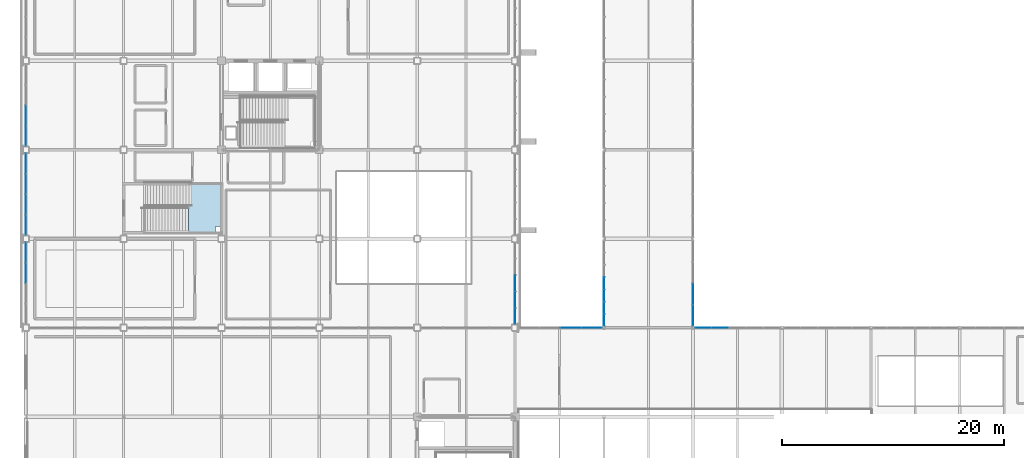
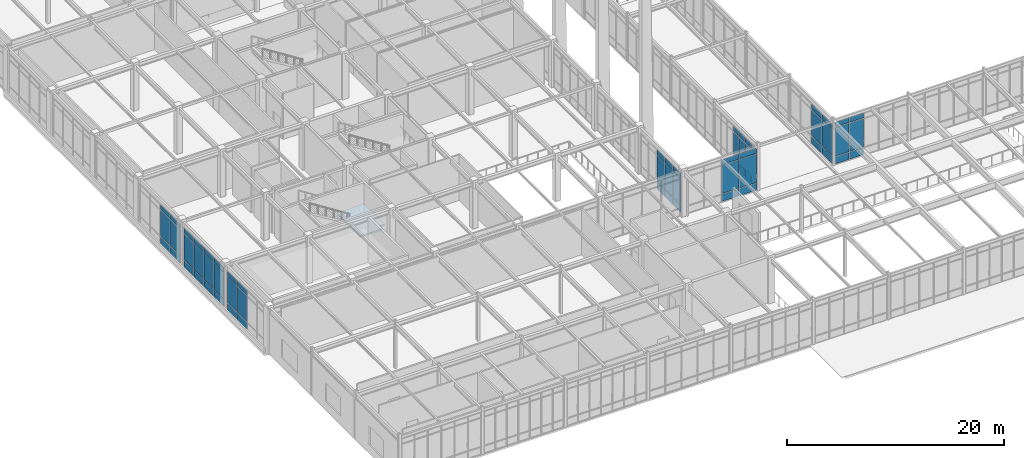
# One storey, part 86 of 184: 63 plates, 1 slab, 9 elements without a shape of their own.
"""IFC4 building model written with IfcOpenShell, lengths in metres."""

from ifc_helpers import new_model, si_unit, direction, frame, origin, origin_2d, place, context, subcontext, project, spatial, polyline, rectangle, outline, extrude, material, layer, layer_set, type_object, element, aggregate, save


model = new_model("IFC4")

# Units and contexts
model_context = context("Model", 3, precision=1e-05, world=origin(), true_north=direction((0.0, 1.0)))
body_context = subcontext(model_context, "Body", "Model", "MODEL_VIEW")
ifc_project = project(units=[si_unit("LENGTHUNIT", "METRE"), si_unit("AREAUNIT", "SQUARE_METRE"), si_unit("VOLUMEUNIT", "CUBIC_METRE"), si_unit("PLANEANGLEUNIT", "RADIAN"), si_unit("MASSUNIT", "GRAM", prefix="KILO")], contexts=[model_context])

# Site, building, storey
site_placement = place(None, origin())
site = spatial("IfcSite", under=ifc_project, at=site_placement, CompositionType="ELEMENT")
building_placement = place(site_placement, origin())
building = spatial("IfcBuilding", under=site, at=building_placement, Name="Zhaolan Boulevard Law Courts", CompositionType="ELEMENT")
storey_placement = place(building_placement, frame((0.0, 0.0, 5.39990234375)))
storey = spatial("IfcBuildingStorey", under=building, at=storey_placement, Name="L01", CompositionType="ELEMENT", Elevation=5.39990234375)

# Curtain wall, plates
ifc_material_1 = material(Name="Thermally broken aluminium and low-E glazing", Category="aluminium")
curtain_wall_type_1 = type_object("IfcCurtainWallType", Name="CURTAIN WALL M24", PredefinedType="USERDEFINED", material=ifc_material_1)
curtain_wall_1_placement = place(storey_placement, origin())
curtain_wall_1 = element("IfcCurtainWall", 1, at=curtain_wall_1_placement, inside=storey, type_object=curtain_wall_type_1, Name="Curtain Wall CW-L01-048", ObjectType="CURTAIN WALL", PredefinedType="USERDEFINED")
ifc_material_2 = material(Name="Acoustic laminated low-E glazing", Category="glass")
ifc_layer_1 = layer(ifc_material_2, 0.031982421875)
ifc_layer_set_1 = layer_set([ifc_layer_1])
plate_type = type_object("IfcPlateType", Name="CWPANEL LOW E32", PredefinedType="CURTAIN_PANEL", material=ifc_layer_set_1)
plate_1_placement = place(storey_placement, frame((50.910400390625, 30.0, 0.06494140625), z_axis=(0.0, 0.0, 1.0), x_axis=(-1.0, 0.0, 0.0)))
plate_1 = element("IfcPlate", 2, at=plate_1_placement, type_object=plate_type, Name="CW-L01-048 panel 1.1", PredefinedType="CURTAIN_PANEL", context=body_context, shape_type="SweptSolid", body=[
    extrude(rectangle(XDim=1.795166015625, YDim=0.031982421875, at=origin_2d()), origin(), (0.0, 0.0, 1.0), 0.802490234375),
])
plate_2_placement = place(storey_placement, frame((50.910400390625, 30.0, 0.9326171875), z_axis=(0.0, 0.0, 1.0), x_axis=(-1.0, 0.0, 0.0)))
plate_2 = element("IfcPlate", 3, at=plate_2_placement, type_object=plate_type, Name="CW-L01-048 panel 1.2", PredefinedType="CURTAIN_PANEL", context=body_context, shape_type="SweptSolid", body=[
    extrude(rectangle(XDim=1.795166015625, YDim=0.031982421875, at=origin_2d()), origin(), (0.0, 0.0, 1.0), 3.2080078125),
])
plate_3_placement = place(storey_placement, frame((50.910400390625, 30.0, 4.20556640625), z_axis=(0.0, 0.0, 1.0), x_axis=(-1.0, 0.0, 0.0)))
plate_3 = element("IfcPlate", 4, at=plate_3_placement, type_object=plate_type, Name="CW-L01-048 panel 1.3", PredefinedType="CURTAIN_PANEL", context=body_context, shape_type="SweptSolid", body=[
    extrude(rectangle(XDim=1.795166015625, YDim=0.031982421875, at=origin_2d()), origin(), (0.0, 0.0, 1.0), 0.552490234375),
])
plate_4_placement = place(storey_placement, frame((49.033935546875, 30.0, 0.06494140625), z_axis=(0.0, 0.0, 1.0), x_axis=(-1.0, 0.0, 0.0)))
plate_4 = element("IfcPlate", 5, at=plate_4_placement, type_object=plate_type, Name="CW-L01-048 panel 2.1", PredefinedType="CURTAIN_PANEL", context=body_context, shape_type="SweptSolid", body=[
    extrude(rectangle(XDim=1.82763671875, YDim=0.031982421875, at=origin_2d()), origin(), (0.0, 0.0, 1.0), 0.802490234375),
])
plate_5_placement = place(storey_placement, frame((49.033935546875, 30.0, 0.9326171875), z_axis=(0.0, 0.0, 1.0), x_axis=(-1.0, 0.0, 0.0)))
plate_5 = element("IfcPlate", 6, at=plate_5_placement, type_object=plate_type, Name="CW-L01-048 panel 2.2", PredefinedType="CURTAIN_PANEL", context=body_context, shape_type="SweptSolid", body=[
    extrude(rectangle(XDim=1.82763671875, YDim=0.031982421875, at=origin_2d()), origin(), (0.0, 0.0, 1.0), 3.2080078125),
])
plate_6_placement = place(storey_placement, frame((49.033935546875, 30.0, 4.20556640625), z_axis=(0.0, 0.0, 1.0), x_axis=(-1.0, 0.0, 0.0)))
plate_6 = element("IfcPlate", 7, at=plate_6_placement, type_object=plate_type, Name="CW-L01-048 panel 2.3", PredefinedType="CURTAIN_PANEL", context=body_context, shape_type="SweptSolid", body=[
    extrude(rectangle(XDim=1.82763671875, YDim=0.031982421875, at=origin_2d()), origin(), (0.0, 0.0, 1.0), 0.552490234375),
])
aggregate(curtain_wall_1, [plate_1, plate_2, plate_3, plate_4, plate_5, plate_6])

ifc_material_3 = material(Name="Thermally broken aluminium and low-E glazing", Category="aluminium")
curtain_wall_type_2 = type_object("IfcCurtainWallType", Name="CURTAIN WALL M1", PredefinedType="USERDEFINED", material=ifc_material_3)
curtain_wall_2_placement = place(storey_placement, origin())
curtain_wall_2 = element("IfcCurtainWall", 8, at=curtain_wall_2_placement, inside=storey, type_object=curtain_wall_type_2, Name="Curtain Wall CW-L01-049", ObjectType="CURTAIN WALL", PredefinedType="USERDEFINED")
plate_7_placement = place(storey_placement, frame((62.45068359375, 30.0, 0.06494140625), z_axis=(0.0, 0.0, 1.0), x_axis=(-1.0, 0.0, 0.0)))
plate_7 = element("IfcPlate", 9, at=plate_7_placement, type_object=plate_type, Name="CW-L01-049 panel 4.1", PredefinedType="CURTAIN_PANEL", context=body_context, shape_type="SweptSolid", body=[
    extrude(rectangle(XDim=1.484130859375, YDim=0.031982421875, at=origin_2d()), origin(), (0.0, 0.0, 1.0), 0.802490234375),
])
plate_8_placement = place(storey_placement, frame((62.45068359375, 30.0, 0.9326171875), z_axis=(0.0, 0.0, 1.0), x_axis=(-1.0, 0.0, 0.0)))
plate_8 = element("IfcPlate", 10, at=plate_8_placement, type_object=plate_type, Name="CW-L01-049 panel 4.2", PredefinedType="CURTAIN_PANEL", context=body_context, shape_type="SweptSolid", body=[
    extrude(rectangle(XDim=1.484130859375, YDim=0.031982421875, at=origin_2d()), origin(), (0.0, 0.0, 1.0), 3.2080078125),
])
plate_9_placement = place(storey_placement, frame((62.45068359375, 30.0, 4.20556640625), z_axis=(0.0, 0.0, 1.0), x_axis=(-1.0, 0.0, 0.0)))
plate_9 = element("IfcPlate", 11, at=plate_9_placement, type_object=plate_type, Name="CW-L01-049 panel 4.3", PredefinedType="CURTAIN_PANEL", context=body_context, shape_type="SweptSolid", body=[
    extrude(rectangle(XDim=1.484130859375, YDim=0.031982421875, at=origin_2d()), origin(), (0.0, 0.0, 1.0), 0.552490234375),
])
plate_10_placement = place(storey_placement, frame((60.91796875, 30.0, 0.06494140625), z_axis=(0.0, 0.0, 1.0), x_axis=(-1.0, 0.0, 0.0)))
plate_10 = element("IfcPlate", 12, at=plate_10_placement, type_object=plate_type, Name="CW-L01-049 panel 5.1", PredefinedType="CURTAIN_PANEL", context=body_context, shape_type="SweptSolid", body=[
    extrude(rectangle(XDim=1.45166015625, YDim=0.031982421875, at=origin_2d()), origin(), (0.0, 0.0, 1.0), 0.802490234375),
])
plate_11_placement = place(storey_placement, frame((60.91796875, 30.0, 0.9326171875), z_axis=(0.0, 0.0, 1.0), x_axis=(-1.0, 0.0, 0.0)))
plate_11 = element("IfcPlate", 13, at=plate_11_placement, type_object=plate_type, Name="CW-L01-049 panel 5.2", PredefinedType="CURTAIN_PANEL", context=body_context, shape_type="SweptSolid", body=[
    extrude(rectangle(XDim=1.45166015625, YDim=0.031982421875, at=origin_2d()), origin(), (0.0, 0.0, 1.0), 3.2080078125),
])
plate_12_placement = place(storey_placement, frame((60.91796875, 30.0, 4.20556640625), z_axis=(0.0, 0.0, 1.0), x_axis=(-1.0, 0.0, 0.0)))
plate_12 = element("IfcPlate", 14, at=plate_12_placement, type_object=plate_type, Name="CW-L01-049 panel 5.3", PredefinedType="CURTAIN_PANEL", context=body_context, shape_type="SweptSolid", body=[
    extrude(rectangle(XDim=1.45166015625, YDim=0.031982421875, at=origin_2d()), origin(), (0.0, 0.0, 1.0), 0.552490234375),
])
aggregate(curtain_wall_2, [plate_7, plate_8, plate_9, plate_10, plate_11, plate_12])

ifc_material_4 = material(Name="Thermally broken aluminium and low-E glazing", Category="aluminium")
curtain_wall_type_3 = type_object("IfcCurtainWallType", Name="CURTAIN WALL M18", PredefinedType="USERDEFINED", material=ifc_material_4)
curtain_wall_3_placement = place(storey_placement, origin())
curtain_wall_3 = element("IfcCurtainWall", 15, at=curtain_wall_3_placement, inside=storey, type_object=curtain_wall_type_3, Name="Curtain Wall CW-L01-066", ObjectType="CURTAIN WALL", PredefinedType="USERDEFINED")
plate_13_placement = place(storey_placement, frame((52.0, 34.0, 0.06494140625), z_axis=(0.0, 0.0, 1.0), x_axis=(0.0, -1.0, 0.0)))
plate_13 = element("IfcPlate", 16, at=plate_13_placement, type_object=plate_type, Name="CW-L01-066 panel 4.1", PredefinedType="CURTAIN_PANEL", context=body_context, shape_type="SweptSolid", body=[
    extrude(rectangle(XDim=1.04150390625, YDim=0.031982421875, at=origin_2d()), origin(), (0.0, 0.0, 1.0), 0.802490234375),
])
plate_14_placement = place(storey_placement, frame((52.0, 34.0, 0.9326171875), z_axis=(0.0, 0.0, 1.0), x_axis=(0.0, -1.0, 0.0)))
plate_14 = element("IfcPlate", 17, at=plate_14_placement, type_object=plate_type, Name="CW-L01-066 panel 4.2", PredefinedType="CURTAIN_PANEL", context=body_context, shape_type="SweptSolid", body=[
    extrude(rectangle(XDim=1.04150390625, YDim=0.031982421875, at=origin_2d()), origin(), (0.0, 0.0, 1.0), 2.91796875),
])
plate_15_placement = place(storey_placement, frame((52.0, 34.0, 3.91552734375), z_axis=(0.0, 0.0, 1.0), x_axis=(0.0, -1.0, 0.0)))
plate_15 = element("IfcPlate", 18, at=plate_15_placement, type_object=plate_type, Name="CW-L01-066 panel 4.3", PredefinedType="CURTAIN_PANEL", context=body_context, shape_type="SweptSolid", body=[
    extrude(rectangle(XDim=1.04150390625, YDim=0.031982421875, at=origin_2d()), origin(), (0.0, 0.0, 1.0), 0.552490234375),
])
plate_16_placement = place(storey_placement, frame((52.0, 32.893310546875, 0.06494140625), z_axis=(0.0, 0.0, 1.0), x_axis=(0.0, -1.0, 0.0)))
plate_16 = element("IfcPlate", 19, at=plate_16_placement, type_object=plate_type, Name="CW-L01-066 panel 5.1", PredefinedType="CURTAIN_PANEL", context=body_context, shape_type="SweptSolid", body=[
    extrude(rectangle(XDim=1.04150390625, YDim=0.031982421875, at=origin_2d()), origin(), (0.0, 0.0, 1.0), 0.802490234375),
])
plate_17_placement = place(storey_placement, frame((52.0, 32.893310546875, 0.9326171875), z_axis=(0.0, 0.0, 1.0), x_axis=(0.0, -1.0, 0.0)))
plate_17 = element("IfcPlate", 20, at=plate_17_placement, type_object=plate_type, Name="CW-L01-066 panel 5.2", PredefinedType="CURTAIN_PANEL", context=body_context, shape_type="SweptSolid", body=[
    extrude(rectangle(XDim=1.04150390625, YDim=0.031982421875, at=origin_2d()), origin(), (0.0, 0.0, 1.0), 2.91796875),
])
plate_18_placement = place(storey_placement, frame((52.0, 32.893310546875, 3.91552734375), z_axis=(0.0, 0.0, 1.0), x_axis=(0.0, -1.0, 0.0)))
plate_18 = element("IfcPlate", 21, at=plate_18_placement, type_object=plate_type, Name="CW-L01-066 panel 5.3", PredefinedType="CURTAIN_PANEL", context=body_context, shape_type="SweptSolid", body=[
    extrude(rectangle(XDim=1.04150390625, YDim=0.031982421875, at=origin_2d()), origin(), (0.0, 0.0, 1.0), 0.552490234375),
])
plate_19_placement = place(storey_placement, frame((52.0, 31.786865234375, 0.06494140625), z_axis=(0.0, 0.0, 1.0), x_axis=(0.0, -1.0, 0.0)))
plate_19 = element("IfcPlate", 22, at=plate_19_placement, type_object=plate_type, Name="CW-L01-066 panel 6.1", PredefinedType="CURTAIN_PANEL", context=body_context, shape_type="SweptSolid", body=[
    extrude(rectangle(XDim=1.04150390625, YDim=0.031982421875, at=origin_2d()), origin(), (0.0, 0.0, 1.0), 0.802490234375),
])
plate_20_placement = place(storey_placement, frame((52.0, 31.786865234375, 0.9326171875), z_axis=(0.0, 0.0, 1.0), x_axis=(0.0, -1.0, 0.0)))
plate_20 = element("IfcPlate", 23, at=plate_20_placement, type_object=plate_type, Name="CW-L01-066 panel 6.2", PredefinedType="CURTAIN_PANEL", context=body_context, shape_type="SweptSolid", body=[
    extrude(rectangle(XDim=1.04150390625, YDim=0.031982421875, at=origin_2d()), origin(), (0.0, 0.0, 1.0), 2.91796875),
])
plate_21_placement = place(storey_placement, frame((52.0, 31.786865234375, 3.91552734375), z_axis=(0.0, 0.0, 1.0), x_axis=(0.0, -1.0, 0.0)))
plate_21 = element("IfcPlate", 24, at=plate_21_placement, type_object=plate_type, Name="CW-L01-066 panel 6.3", PredefinedType="CURTAIN_PANEL", context=body_context, shape_type="SweptSolid", body=[
    extrude(rectangle(XDim=1.04150390625, YDim=0.031982421875, at=origin_2d()), origin(), (0.0, 0.0, 1.0), 0.552490234375),
])
plate_22_placement = place(storey_placement, frame((52.0, 30.696533203125, 0.06494140625), z_axis=(0.0, 0.0, 1.0), x_axis=(0.0, -1.0, 0.0)))
plate_22 = element("IfcPlate", 25, at=plate_22_placement, type_object=plate_type, Name="CW-L01-066 panel 7.1", PredefinedType="CURTAIN_PANEL", context=body_context, shape_type="SweptSolid", body=[
    extrude(rectangle(XDim=1.009033203125, YDim=0.031982421875, at=origin_2d()), origin(), (0.0, 0.0, 1.0), 0.802490234375),
])
plate_23_placement = place(storey_placement, frame((52.0, 30.696533203125, 0.9326171875), z_axis=(0.0, 0.0, 1.0), x_axis=(0.0, -1.0, 0.0)))
plate_23 = element("IfcPlate", 26, at=plate_23_placement, type_object=plate_type, Name="CW-L01-066 panel 7.2", PredefinedType="CURTAIN_PANEL", context=body_context, shape_type="SweptSolid", body=[
    extrude(rectangle(XDim=1.009033203125, YDim=0.031982421875, at=origin_2d()), origin(), (0.0, 0.0, 1.0), 2.91796875),
])
plate_24_placement = place(storey_placement, frame((52.0, 30.696533203125, 3.91552734375), z_axis=(0.0, 0.0, 1.0), x_axis=(0.0, -1.0, 0.0)))
plate_24 = element("IfcPlate", 27, at=plate_24_placement, type_object=plate_type, Name="CW-L01-066 panel 7.3", PredefinedType="CURTAIN_PANEL", context=body_context, shape_type="SweptSolid", body=[
    extrude(rectangle(XDim=1.009033203125, YDim=0.031982421875, at=origin_2d()), origin(), (0.0, 0.0, 1.0), 0.552490234375),
])
aggregate(curtain_wall_3, [plate_13, plate_14, plate_15, plate_16, plate_17, plate_18, plate_19, plate_20, plate_21, plate_22, plate_23, plate_24])

ifc_material_5 = material(Name="Thermally broken aluminium and low-E glazing", Category="aluminium")
curtain_wall_type_4 = type_object("IfcCurtainWallType", Name="CURTAIN WALL M22", PredefinedType="USERDEFINED", material=ifc_material_5)
curtain_wall_4_placement = place(storey_placement, origin())
curtain_wall_4 = element("IfcCurtainWall", 28, at=curtain_wall_4_placement, inside=storey, type_object=curtain_wall_type_4, Name="Curtain Wall CW-L01-070", ObjectType="CURTAIN WALL", PredefinedType="USERDEFINED")
plate_25_placement = place(storey_placement, frame((60.0, 31.111572265625, 0.06494140625), z_axis=(0.0, 0.0, 1.0), x_axis=(0.0, 1.0, 0.0)))
plate_25 = element("IfcPlate", 29, at=plate_25_placement, type_object=plate_type, Name="CW-L01-070 panel 1.1", PredefinedType="CURTAIN_PANEL", context=body_context, shape_type="SweptSolid", body=[
    extrude(rectangle(XDim=1.839111328125, YDim=0.031982421875, at=origin_2d()), origin(), (0.0, 0.0, 1.0), 0.802490234375),
])
plate_26_placement = place(storey_placement, frame((60.0, 31.111572265625, 0.9326171875), z_axis=(0.0, 0.0, 1.0), x_axis=(0.0, 1.0, 0.0)))
plate_26 = element("IfcPlate", 30, at=plate_26_placement, type_object=plate_type, Name="CW-L01-070 panel 1.2", PredefinedType="CURTAIN_PANEL", context=body_context, shape_type="SweptSolid", body=[
    extrude(rectangle(XDim=1.839111328125, YDim=0.031982421875, at=origin_2d()), origin(), (0.0, 0.0, 1.0), 2.91796875),
])
plate_27_placement = place(storey_placement, frame((60.0, 31.111572265625, 3.91552734375), z_axis=(0.0, 0.0, 1.0), x_axis=(0.0, 1.0, 0.0)))
plate_27 = element("IfcPlate", 31, at=plate_27_placement, type_object=plate_type, Name="CW-L01-070 panel 1.3", PredefinedType="CURTAIN_PANEL", context=body_context, shape_type="SweptSolid", body=[
    extrude(rectangle(XDim=1.839111328125, YDim=0.031982421875, at=origin_2d()), origin(), (0.0, 0.0, 1.0), 0.552490234375),
])
plate_28_placement = place(storey_placement, frame((60.0, 33.03173828125, 0.06494140625), z_axis=(0.0, 0.0, 1.0), x_axis=(0.0, 1.0, 0.0)))
plate_28 = element("IfcPlate", 32, at=plate_28_placement, type_object=plate_type, Name="CW-L01-070 panel 2.1", PredefinedType="CURTAIN_PANEL", context=body_context, shape_type="SweptSolid", body=[
    extrude(rectangle(XDim=1.87158203125, YDim=0.031982421875, at=origin_2d()), origin(), (0.0, 0.0, 1.0), 0.802490234375),
])
plate_29_placement = place(storey_placement, frame((60.0, 33.03173828125, 0.9326171875), z_axis=(0.0, 0.0, 1.0), x_axis=(0.0, 1.0, 0.0)))
plate_29 = element("IfcPlate", 33, at=plate_29_placement, type_object=plate_type, Name="CW-L01-070 panel 2.2", PredefinedType="CURTAIN_PANEL", context=body_context, shape_type="SweptSolid", body=[
    extrude(rectangle(XDim=1.87158203125, YDim=0.031982421875, at=origin_2d()), origin(), (0.0, 0.0, 1.0), 2.91796875),
])
plate_30_placement = place(storey_placement, frame((60.0, 33.03173828125, 3.91552734375), z_axis=(0.0, 0.0, 1.0), x_axis=(0.0, 1.0, 0.0)))
plate_30 = element("IfcPlate", 34, at=plate_30_placement, type_object=plate_type, Name="CW-L01-070 panel 2.3", PredefinedType="CURTAIN_PANEL", context=body_context, shape_type="SweptSolid", body=[
    extrude(rectangle(XDim=1.87158203125, YDim=0.031982421875, at=origin_2d()), origin(), (0.0, 0.0, 1.0), 0.552490234375),
])
aggregate(curtain_wall_4, [plate_25, plate_26, plate_27, plate_28, plate_29, plate_30])

ifc_material_6 = material(Name="Thermally broken aluminium and low-E glazing", Category="aluminium")
curtain_wall_type_5 = type_object("IfcCurtainWallType", Name="CURTAIN WALL M19", PredefinedType="USERDEFINED", material=ifc_material_6)
curtain_wall_5_placement = place(storey_placement, origin())
curtain_wall_5 = element("IfcCurtainWall", 35, at=curtain_wall_5_placement, inside=storey, type_object=curtain_wall_type_5, Name="Curtain Wall CW-L01-139", ObjectType="CURTAIN WALL", PredefinedType="USERDEFINED")
plate_31_placement = place(storey_placement, frame((0.0, 36.75732421875, 0.06494140625), z_axis=(0.0, 0.0, 1.0), x_axis=(0.0, -1.0, 0.0)))
plate_31 = element("IfcPlate", 36, at=plate_31_placement, type_object=plate_type, Name="CW-L01-139 panel 1.1", PredefinedType="CURTAIN_PANEL", context=body_context, shape_type="SweptSolid", body=[
    extrude(rectangle(XDim=1.75146484375, YDim=0.031982421875, at=origin_2d()), origin(), (0.0, 0.0, 1.0), 0.802490234375),
])
plate_32_placement = place(storey_placement, frame((0.0, 36.75732421875, 0.9326171875), z_axis=(0.0, 0.0, 1.0), x_axis=(0.0, -1.0, 0.0)))
plate_32 = element("IfcPlate", 37, at=plate_32_placement, type_object=plate_type, Name="CW-L01-139 panel 1.2", PredefinedType="CURTAIN_PANEL", context=body_context, shape_type="SweptSolid", body=[
    extrude(rectangle(XDim=1.75146484375, YDim=0.031982421875, at=origin_2d()), origin(), (0.0, 0.0, 1.0), 2.907958984375),
])
plate_33_placement = place(storey_placement, frame((0.0, 36.75732421875, 3.90576171875), z_axis=(0.0, 0.0, 1.0), x_axis=(0.0, -1.0, 0.0)))
plate_33 = element("IfcPlate", 38, at=plate_33_placement, type_object=plate_type, Name="CW-L01-139 panel 1.3", PredefinedType="CURTAIN_PANEL", context=body_context, shape_type="SweptSolid", body=[
    extrude(rectangle(XDim=1.75146484375, YDim=0.031982421875, at=origin_2d()), origin(), (0.0, 0.0, 1.0), 0.552490234375),
])
plate_34_placement = place(storey_placement, frame((0.0, 34.924560546875, 0.06494140625), z_axis=(0.0, 0.0, 1.0), x_axis=(0.0, -1.0, 0.0)))
plate_34 = element("IfcPlate", 39, at=plate_34_placement, type_object=plate_type, Name="CW-L01-139 panel 2.1", PredefinedType="CURTAIN_PANEL", context=body_context, shape_type="SweptSolid", body=[
    extrude(rectangle(XDim=1.783935546875, YDim=0.031982421875, at=origin_2d()), origin(), (0.0, 0.0, 1.0), 0.802490234375),
])
plate_35_placement = place(storey_placement, frame((0.0, 34.924560546875, 0.9326171875), z_axis=(0.0, 0.0, 1.0), x_axis=(0.0, -1.0, 0.0)))
plate_35 = element("IfcPlate", 40, at=plate_35_placement, type_object=plate_type, Name="CW-L01-139 panel 2.2", PredefinedType="CURTAIN_PANEL", context=body_context, shape_type="SweptSolid", body=[
    extrude(rectangle(XDim=1.783935546875, YDim=0.031982421875, at=origin_2d()), origin(), (0.0, 0.0, 1.0), 2.907958984375),
])
plate_36_placement = place(storey_placement, frame((0.0, 34.924560546875, 3.90576171875), z_axis=(0.0, 0.0, 1.0), x_axis=(0.0, -1.0, 0.0)))
plate_36 = element("IfcPlate", 41, at=plate_36_placement, type_object=plate_type, Name="CW-L01-139 panel 2.3", PredefinedType="CURTAIN_PANEL", context=body_context, shape_type="SweptSolid", body=[
    extrude(rectangle(XDim=1.783935546875, YDim=0.031982421875, at=origin_2d()), origin(), (0.0, 0.0, 1.0), 0.552490234375),
])
aggregate(curtain_wall_5, [plate_31, plate_32, plate_33, plate_34, plate_35, plate_36])

ifc_material_7 = material(Name="Thermally broken aluminium and low-E glazing", Category="aluminium")
curtain_wall_type_6 = type_object("IfcCurtainWallType", Name="CURTAIN WALL M20", PredefinedType="USERDEFINED", material=ifc_material_7)
curtain_wall_6_placement = place(storey_placement, origin())
curtain_wall_6 = element("IfcCurtainWall", 42, at=curtain_wall_6_placement, inside=storey, type_object=curtain_wall_type_6, Name="Curtain Wall CW-L01-140", ObjectType="CURTAIN WALL", PredefinedType="USERDEFINED")
plate_37_placement = place(storey_placement, frame((0.0, 44.75732421875, 0.06494140625), z_axis=(0.0, 0.0, 1.0), x_axis=(0.0, -1.0, 0.0)))
plate_37 = element("IfcPlate", 43, at=plate_37_placement, type_object=plate_type, Name="CW-L01-140 panel 1.1", PredefinedType="CURTAIN_PANEL", context=body_context, shape_type="SweptSolid", body=[
    extrude(rectangle(XDim=1.75146484375, YDim=0.031982421875, at=origin_2d()), origin(), (0.0, 0.0, 1.0), 0.802490234375),
])
plate_38_placement = place(storey_placement, frame((0.0, 44.75732421875, 0.9326171875), z_axis=(0.0, 0.0, 1.0), x_axis=(0.0, -1.0, 0.0)))
plate_38 = element("IfcPlate", 44, at=plate_38_placement, type_object=plate_type, Name="CW-L01-140 panel 1.2", PredefinedType="CURTAIN_PANEL", context=body_context, shape_type="SweptSolid", body=[
    extrude(rectangle(XDim=1.75146484375, YDim=0.031982421875, at=origin_2d()), origin(), (0.0, 0.0, 1.0), 2.907958984375),
])
plate_39_placement = place(storey_placement, frame((0.0, 44.75732421875, 3.90576171875), z_axis=(0.0, 0.0, 1.0), x_axis=(0.0, -1.0, 0.0)))
plate_39 = element("IfcPlate", 45, at=plate_39_placement, type_object=plate_type, Name="CW-L01-140 panel 1.3", PredefinedType="CURTAIN_PANEL", context=body_context, shape_type="SweptSolid", body=[
    extrude(rectangle(XDim=1.75146484375, YDim=0.031982421875, at=origin_2d()), origin(), (0.0, 0.0, 1.0), 0.552490234375),
])
plate_40_placement = place(storey_placement, frame((0.0, 42.924560546875, 0.06494140625), z_axis=(0.0, 0.0, 1.0), x_axis=(0.0, -1.0, 0.0)))
plate_40 = element("IfcPlate", 46, at=plate_40_placement, type_object=plate_type, Name="CW-L01-140 panel 2.1", PredefinedType="CURTAIN_PANEL", context=body_context, shape_type="SweptSolid", body=[
    extrude(rectangle(XDim=1.783935546875, YDim=0.031982421875, at=origin_2d()), origin(), (0.0, 0.0, 1.0), 0.802490234375),
])
plate_41_placement = place(storey_placement, frame((0.0, 42.924560546875, 0.9326171875), z_axis=(0.0, 0.0, 1.0), x_axis=(0.0, -1.0, 0.0)))
plate_41 = element("IfcPlate", 47, at=plate_41_placement, type_object=plate_type, Name="CW-L01-140 panel 2.2", PredefinedType="CURTAIN_PANEL", context=body_context, shape_type="SweptSolid", body=[
    extrude(rectangle(XDim=1.783935546875, YDim=0.031982421875, at=origin_2d()), origin(), (0.0, 0.0, 1.0), 2.907958984375),
])
plate_42_placement = place(storey_placement, frame((0.0, 42.924560546875, 3.90576171875), z_axis=(0.0, 0.0, 1.0), x_axis=(0.0, -1.0, 0.0)))
plate_42 = element("IfcPlate", 48, at=plate_42_placement, type_object=plate_type, Name="CW-L01-140 panel 2.3", PredefinedType="CURTAIN_PANEL", context=body_context, shape_type="SweptSolid", body=[
    extrude(rectangle(XDim=1.783935546875, YDim=0.031982421875, at=origin_2d()), origin(), (0.0, 0.0, 1.0), 0.552490234375),
])
plate_43_placement = place(storey_placement, frame((0.0, 41.075439453125, 0.06494140625), z_axis=(0.0, 0.0, 1.0), x_axis=(0.0, -1.0, 0.0)))
plate_43 = element("IfcPlate", 49, at=plate_43_placement, type_object=plate_type, Name="CW-L01-140 panel 3.1", PredefinedType="CURTAIN_PANEL", context=body_context, shape_type="SweptSolid", body=[
    extrude(rectangle(XDim=1.783935546875, YDim=0.031982421875, at=origin_2d()), origin(), (0.0, 0.0, 1.0), 0.802490234375),
])
plate_44_placement = place(storey_placement, frame((0.0, 41.075439453125, 0.9326171875), z_axis=(0.0, 0.0, 1.0), x_axis=(0.0, -1.0, 0.0)))
plate_44 = element("IfcPlate", 50, at=plate_44_placement, type_object=plate_type, Name="CW-L01-140 panel 3.2", PredefinedType="CURTAIN_PANEL", context=body_context, shape_type="SweptSolid", body=[
    extrude(rectangle(XDim=1.783935546875, YDim=0.031982421875, at=origin_2d()), origin(), (0.0, 0.0, 1.0), 2.907958984375),
])
plate_45_placement = place(storey_placement, frame((0.0, 41.075439453125, 3.90576171875), z_axis=(0.0, 0.0, 1.0), x_axis=(0.0, -1.0, 0.0)))
plate_45 = element("IfcPlate", 51, at=plate_45_placement, type_object=plate_type, Name="CW-L01-140 panel 3.3", PredefinedType="CURTAIN_PANEL", context=body_context, shape_type="SweptSolid", body=[
    extrude(rectangle(XDim=1.783935546875, YDim=0.031982421875, at=origin_2d()), origin(), (0.0, 0.0, 1.0), 0.552490234375),
])
plate_46_placement = place(storey_placement, frame((0.0, 39.24267578125, 0.06494140625), z_axis=(0.0, 0.0, 1.0), x_axis=(0.0, -1.0, 0.0)))
plate_46 = element("IfcPlate", 52, at=plate_46_placement, type_object=plate_type, Name="CW-L01-140 panel 4.1", PredefinedType="CURTAIN_PANEL", context=body_context, shape_type="SweptSolid", body=[
    extrude(rectangle(XDim=1.75146484375, YDim=0.031982421875, at=origin_2d()), origin(), (0.0, 0.0, 1.0), 0.802490234375),
])
plate_47_placement = place(storey_placement, frame((0.0, 39.24267578125, 0.9326171875), z_axis=(0.0, 0.0, 1.0), x_axis=(0.0, -1.0, 0.0)))
plate_47 = element("IfcPlate", 53, at=plate_47_placement, type_object=plate_type, Name="CW-L01-140 panel 4.2", PredefinedType="CURTAIN_PANEL", context=body_context, shape_type="SweptSolid", body=[
    extrude(rectangle(XDim=1.75146484375, YDim=0.031982421875, at=origin_2d()), origin(), (0.0, 0.0, 1.0), 2.907958984375),
])
plate_48_placement = place(storey_placement, frame((0.0, 39.24267578125, 3.90576171875), z_axis=(0.0, 0.0, 1.0), x_axis=(0.0, -1.0, 0.0)))
plate_48 = element("IfcPlate", 54, at=plate_48_placement, type_object=plate_type, Name="CW-L01-140 panel 4.3", PredefinedType="CURTAIN_PANEL", context=body_context, shape_type="SweptSolid", body=[
    extrude(rectangle(XDim=1.75146484375, YDim=0.031982421875, at=origin_2d()), origin(), (0.0, 0.0, 1.0), 0.552490234375),
])
aggregate(curtain_wall_6, [plate_37, plate_38, plate_39, plate_40, plate_41, plate_42, plate_43, plate_44, plate_45, plate_46, plate_47, plate_48])

ifc_material_8 = material(Name="Thermally broken aluminium and low-E glazing", Category="aluminium")
curtain_wall_type_7 = type_object("IfcCurtainWallType", Name="CURTAIN WALL M21", PredefinedType="USERDEFINED", material=ifc_material_8)
curtain_wall_7_placement = place(storey_placement, origin())
curtain_wall_7 = element("IfcCurtainWall", 55, at=curtain_wall_7_placement, inside=storey, type_object=curtain_wall_type_7, Name="Curtain Wall CW-L01-141", ObjectType="CURTAIN WALL", PredefinedType="USERDEFINED")
plate_49_placement = place(storey_placement, frame((0.0, 49.075439453125, 0.06494140625), z_axis=(0.0, 0.0, 1.0), x_axis=(0.0, -1.0, 0.0)))
plate_49 = element("IfcPlate", 56, at=plate_49_placement, type_object=plate_type, Name="CW-L01-141 panel 3.1", PredefinedType="CURTAIN_PANEL", context=body_context, shape_type="SweptSolid", body=[
    extrude(rectangle(XDim=1.783935546875, YDim=0.031982421875, at=origin_2d()), origin(), (0.0, 0.0, 1.0), 0.802490234375),
])
plate_50_placement = place(storey_placement, frame((0.0, 49.075439453125, 0.9326171875), z_axis=(0.0, 0.0, 1.0), x_axis=(0.0, -1.0, 0.0)))
plate_50 = element("IfcPlate", 57, at=plate_50_placement, type_object=plate_type, Name="CW-L01-141 panel 3.2", PredefinedType="CURTAIN_PANEL", context=body_context, shape_type="SweptSolid", body=[
    extrude(rectangle(XDim=1.783935546875, YDim=0.031982421875, at=origin_2d()), origin(), (0.0, 0.0, 1.0), 2.907958984375),
])
plate_51_placement = place(storey_placement, frame((0.0, 49.075439453125, 3.90576171875), z_axis=(0.0, 0.0, 1.0), x_axis=(0.0, -1.0, 0.0)))
plate_51 = element("IfcPlate", 58, at=plate_51_placement, type_object=plate_type, Name="CW-L01-141 panel 3.3", PredefinedType="CURTAIN_PANEL", context=body_context, shape_type="SweptSolid", body=[
    extrude(rectangle(XDim=1.783935546875, YDim=0.031982421875, at=origin_2d()), origin(), (0.0, 0.0, 1.0), 0.552490234375),
])
plate_52_placement = place(storey_placement, frame((0.0, 47.24267578125, 0.06494140625), z_axis=(0.0, 0.0, 1.0), x_axis=(0.0, -1.0, 0.0)))
plate_52 = element("IfcPlate", 59, at=plate_52_placement, type_object=plate_type, Name="CW-L01-141 panel 4.1", PredefinedType="CURTAIN_PANEL", context=body_context, shape_type="SweptSolid", body=[
    extrude(rectangle(XDim=1.75146484375, YDim=0.031982421875, at=origin_2d()), origin(), (0.0, 0.0, 1.0), 0.802490234375),
])
plate_53_placement = place(storey_placement, frame((0.0, 47.24267578125, 0.9326171875), z_axis=(0.0, 0.0, 1.0), x_axis=(0.0, -1.0, 0.0)))
plate_53 = element("IfcPlate", 60, at=plate_53_placement, type_object=plate_type, Name="CW-L01-141 panel 4.2", PredefinedType="CURTAIN_PANEL", context=body_context, shape_type="SweptSolid", body=[
    extrude(rectangle(XDim=1.75146484375, YDim=0.031982421875, at=origin_2d()), origin(), (0.0, 0.0, 1.0), 2.907958984375),
])
plate_54_placement = place(storey_placement, frame((0.0, 47.24267578125, 3.90576171875), z_axis=(0.0, 0.0, 1.0), x_axis=(0.0, -1.0, 0.0)))
plate_54 = element("IfcPlate", 61, at=plate_54_placement, type_object=plate_type, Name="CW-L01-141 panel 4.3", PredefinedType="CURTAIN_PANEL", context=body_context, shape_type="SweptSolid", body=[
    extrude(rectangle(XDim=1.75146484375, YDim=0.031982421875, at=origin_2d()), origin(), (0.0, 0.0, 1.0), 0.552490234375),
])
aggregate(curtain_wall_7, [plate_49, plate_50, plate_51, plate_52, plate_53, plate_54])

curtain_wall_8_placement = place(storey_placement, origin())
curtain_wall_8 = element("IfcCurtainWall", 62, at=curtain_wall_8_placement, inside=storey, type_object=curtain_wall_type_2, Name="Curtain Wall CW-L01-145", ObjectType="CURTAIN WALL", PredefinedType="USERDEFINED")
plate_55_placement = place(storey_placement, frame((44.0, 31.057861328125, 0.06494140625), z_axis=(0.0, 0.0, 1.0), x_axis=(0.0, 1.0, 0.0)))
plate_55 = element("IfcPlate", 63, at=plate_55_placement, type_object=plate_type, Name="CW-L01-145 panel 1.1", PredefinedType="CURTAIN_PANEL", context=body_context, shape_type="SweptSolid", body=[
    extrude(rectangle(XDim=1.381591796875, YDim=0.031982421875, at=origin_2d()), origin(), (0.0, 0.0, 1.0), 0.802490234375),
])
plate_56_placement = place(storey_placement, frame((44.0, 31.057861328125, 0.9326171875), z_axis=(0.0, 0.0, 1.0), x_axis=(0.0, 1.0, 0.0)))
plate_56 = element("IfcPlate", 64, at=plate_56_placement, type_object=plate_type, Name="CW-L01-145 panel 1.2", PredefinedType="CURTAIN_PANEL", context=body_context, shape_type="SweptSolid", body=[
    extrude(rectangle(XDim=1.381591796875, YDim=0.031982421875, at=origin_2d()), origin(), (0.0, 0.0, 1.0), 2.907958984375),
])
plate_57_placement = place(storey_placement, frame((44.0, 31.057861328125, 3.90576171875), z_axis=(0.0, 0.0, 1.0), x_axis=(0.0, 1.0, 0.0)))
plate_57 = element("IfcPlate", 65, at=plate_57_placement, type_object=plate_type, Name="CW-L01-145 panel 1.3", PredefinedType="CURTAIN_PANEL", context=body_context, shape_type="SweptSolid", body=[
    extrude(rectangle(XDim=1.381591796875, YDim=0.031982421875, at=origin_2d()), origin(), (0.0, 0.0, 1.0), 0.552490234375),
])
plate_58_placement = place(storey_placement, frame((44.0, 32.520751953125, 0.06494140625), z_axis=(0.0, 0.0, 1.0), x_axis=(0.0, 1.0, 0.0)))
plate_58 = element("IfcPlate", 66, at=plate_58_placement, type_object=plate_type, Name="CW-L01-145 panel 2.1", PredefinedType="CURTAIN_PANEL", context=body_context, shape_type="SweptSolid", body=[
    extrude(rectangle(XDim=1.414306640625, YDim=0.031982421875, at=origin_2d()), origin(), (0.0, 0.0, 1.0), 0.802490234375),
])
plate_59_placement = place(storey_placement, frame((44.0, 32.520751953125, 0.9326171875), z_axis=(0.0, 0.0, 1.0), x_axis=(0.0, 1.0, 0.0)))
plate_59 = element("IfcPlate", 67, at=plate_59_placement, type_object=plate_type, Name="CW-L01-145 panel 2.2", PredefinedType="CURTAIN_PANEL", context=body_context, shape_type="SweptSolid", body=[
    extrude(rectangle(XDim=1.414306640625, YDim=0.031982421875, at=origin_2d()), origin(), (0.0, 0.0, 1.0), 2.907958984375),
])
plate_60_placement = place(storey_placement, frame((44.0, 32.520751953125, 3.90576171875), z_axis=(0.0, 0.0, 1.0), x_axis=(0.0, 1.0, 0.0)))
plate_60 = element("IfcPlate", 68, at=plate_60_placement, type_object=plate_type, Name="CW-L01-145 panel 2.3", PredefinedType="CURTAIN_PANEL", context=body_context, shape_type="SweptSolid", body=[
    extrude(rectangle(XDim=1.414306640625, YDim=0.031982421875, at=origin_2d()), origin(), (0.0, 0.0, 1.0), 0.552490234375),
])
plate_61_placement = place(storey_placement, frame((44.0, 34.0, 0.06494140625), z_axis=(0.0, 0.0, 1.0), x_axis=(0.0, 1.0, 0.0)))
plate_61 = element("IfcPlate", 69, at=plate_61_placement, type_object=plate_type, Name="CW-L01-145 panel 3.1", PredefinedType="CURTAIN_PANEL", context=body_context, shape_type="SweptSolid", body=[
    extrude(rectangle(XDim=1.414306640625, YDim=0.031982421875, at=origin_2d()), origin(), (0.0, 0.0, 1.0), 0.802490234375),
])
plate_62_placement = place(storey_placement, frame((44.0, 34.0, 0.9326171875), z_axis=(0.0, 0.0, 1.0), x_axis=(0.0, 1.0, 0.0)))
plate_62 = element("IfcPlate", 70, at=plate_62_placement, type_object=plate_type, Name="CW-L01-145 panel 3.2", PredefinedType="CURTAIN_PANEL", context=body_context, shape_type="SweptSolid", body=[
    extrude(rectangle(XDim=1.414306640625, YDim=0.031982421875, at=origin_2d()), origin(), (0.0, 0.0, 1.0), 2.907958984375),
])
plate_63_placement = place(storey_placement, frame((44.0, 34.0, 3.90576171875), z_axis=(0.0, 0.0, 1.0), x_axis=(0.0, 1.0, 0.0)))
plate_63 = element("IfcPlate", 71, at=plate_63_placement, type_object=plate_type, Name="CW-L01-145 panel 3.3", PredefinedType="CURTAIN_PANEL", context=body_context, shape_type="SweptSolid", body=[
    extrude(rectangle(XDim=1.414306640625, YDim=0.031982421875, at=origin_2d()), origin(), (0.0, 0.0, 1.0), 0.552490234375),
])
aggregate(curtain_wall_8, [plate_55, plate_56, plate_57, plate_58, plate_59, plate_60, plate_61, plate_62, plate_63])

# Stair, slab
ifc_material_9 = material(Name="Concrete C40", Category="concrete")
stair_type = type_object("IfcStairType", Name="HALF TURN STAIR 54 B", PredefinedType="HALF_TURN_STAIR", material=ifc_material_9)
stair_placement = place(storey_placement, origin())
stair = element("IfcStair", 72, at=stair_placement, inside=storey, type_object=stair_type, Name="Stair ST03-L01", PredefinedType="HALF_TURN_STAIR")
ifc_material_10 = material(Name="Concrete C40", Category="concrete")
ifc_layer_2 = layer(ifc_material_10, 0.199951171875)
ifc_layer_set_2 = layer_set([ifc_layer_2])
slab_type = type_object("IfcSlabType", Name="STAIR LANDING 200", PredefinedType="LANDING", material=ifc_layer_set_2)
slab_placement = place(storey_placement, frame((0.0, 0.0, 2.5)))
slab = element("IfcSlab", 73, at=slab_placement, type_object=slab_type, Name="Stair Landing ST03-L01-L1", PredefinedType="LANDING", context=body_context, shape_type="SweptSolid", body=[
    extrude(outline(polyline([(14.639892578125, 38.60009765625), (17.0400390625, 38.60009765625), (17.0400390625, 39.110107421875), (17.550048828125, 39.110107421875), (17.550048828125, 42.89990234375), (14.639892578125, 42.89990234375), (14.639892578125, 38.60009765625)])), origin(), (0.0, 0.0, 1.0), 0.2001953125),
])
aggregate(stair, [slab])

save(model, "model.ifc")
